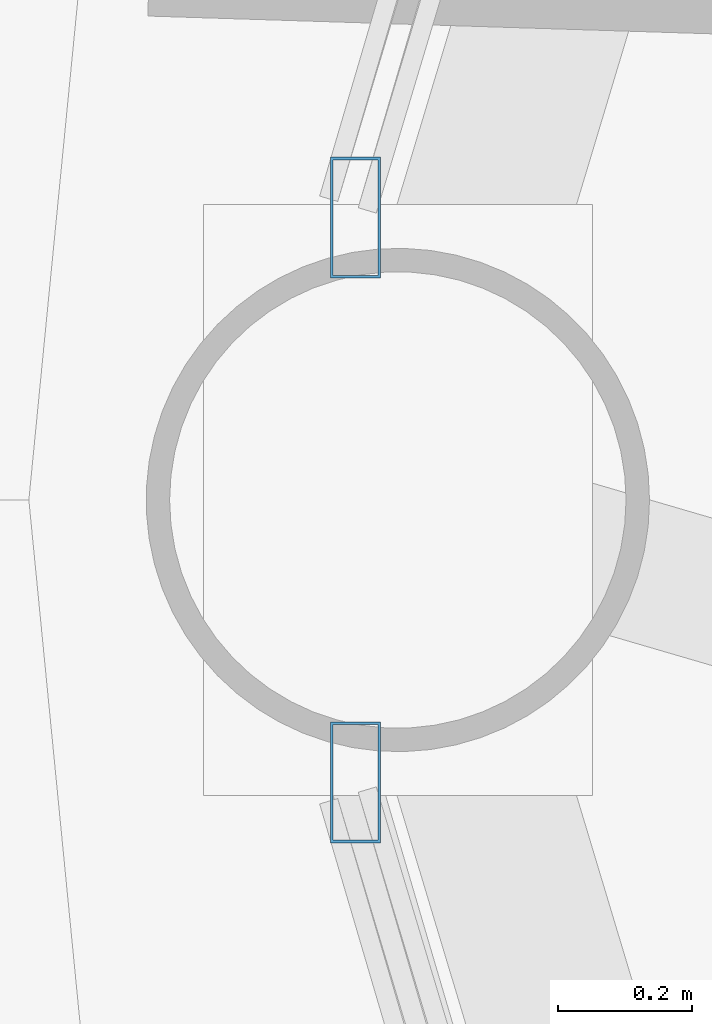
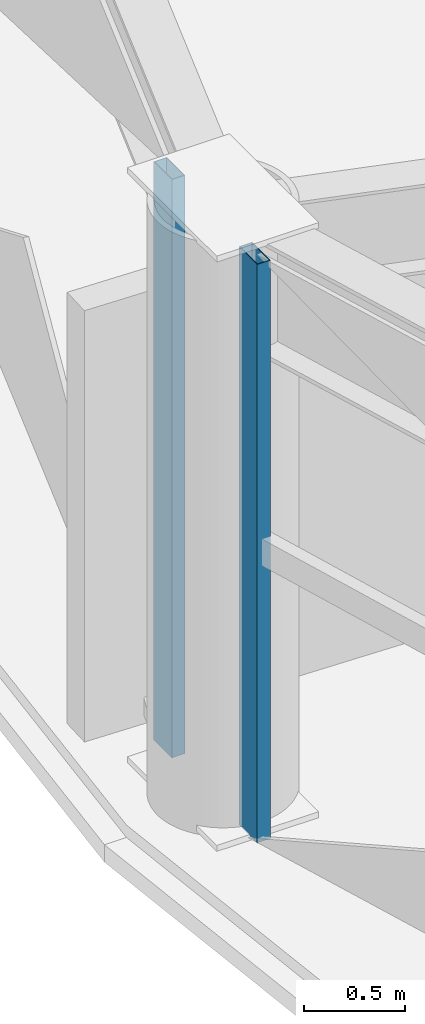
# One storey, part 7 of 31: 2 members, 2 elements without a shape of their own.
"""IFC4 building model written with IfcOpenShell, lengths in metres."""

from ifc_helpers import new_model, si_unit, direction, frame, origin, origin_2d, place, context, subcontext, project, spatial, hollow_rectangle, extrude, material, layer, layer_set, material_profile, profile_set, type_object, element, aggregate, save


model = new_model("IFC4")

# Units and contexts
model_context = context("Model", 3, precision=1e-05, world=origin(), true_north=direction((0.0, 1.0)))
body_context = subcontext(model_context, "Body", "Model", "MODEL_VIEW")
ifc_project = project(units=[si_unit("LENGTHUNIT", "METRE"), si_unit("AREAUNIT", "SQUARE_METRE"), si_unit("VOLUMEUNIT", "CUBIC_METRE"), si_unit("PLANEANGLEUNIT", "RADIAN"), si_unit("MASSUNIT", "GRAM", prefix="KILO")], contexts=[model_context])

# Site, building, storey
site_placement = place(None, origin())
site = spatial("IfcSite", under=ifc_project, at=site_placement, CompositionType="ELEMENT")
building_placement = place(site_placement, origin())
building = spatial("IfcBuilding", under=site, at=building_placement, Name="Vantalir Tower", CompositionType="ELEMENT")
storey_placement = place(building_placement, frame((0.0, 0.0, 115.949951171875)))
storey = spatial("IfcBuildingStorey", under=building, at=storey_placement, Name="L28", CompositionType="ELEMENT", Elevation=115.949951171875)

# Curtain wall, member
ifc_material_1 = material(Name="Champagne-silver PVDF aluminium and double-silver Low-E glass", Category="aluminium")
ifc_layer = layer(ifc_material_1, 0.199951171875)
ifc_layer_set = layer_set([ifc_layer], Name="Champagne-silver PVDF aluminium and double-silver Low-E glass")
curtain_wall_type = type_object("IfcCurtainWallType", Name="CW-DIAMOND-Z2", PredefinedType="USERDEFINED", material=ifc_layer_set)
curtain_wall_1_placement = place(storey_placement, origin())
curtain_wall_1 = element("IfcCurtainWall", 1, at=curtain_wall_1_placement, inside=storey, type_object=curtain_wall_type, Name="L28 Quilted Pyramid-Diamond Curtain Wall S06", ObjectType="UNITISED CURTAIN WALL", PredefinedType="USERDEFINED")
ifc_material_2 = material(Name="Champagne-silver PVDF aluminium 6063-T6", Category="aluminium")
ifc_material_profile = material_profile(ifc_material_2, hollow_rectangle(XDim=0.074951171875, YDim=0.179931640625, WallThickness=0.00390625, at=origin_2d()), Name="Champagne-silver PVDF aluminium 6063-T6")
ifc_profile_set = profile_set([ifc_material_profile], Name="Champagne-silver PVDF aluminium 6063-T6")
member_type = type_object("IfcMemberType", Name="CWM-180x75", PredefinedType="MULLION", material=ifc_profile_set)
member_1_placement = place(storey_placement, frame((6.096923828125, 25.4208984375, 0.045166015625), z_axis=(0.0, 0.0, 1.0), x_axis=(1.0, 0.0, 0.0)))
member_1 = element("IfcMember", 2, at=member_1_placement, type_object=member_type, Name="CW-L28-S06 Mullion 2", PredefinedType="MULLION", context=body_context, shape_type="SweptSolid", body=[
    extrude(hollow_rectangle(XDim=0.074951171875, YDim=0.179931640625, WallThickness=0.00390625, at=origin_2d()), origin(), (0.0, 0.0, 1.0), 3.47998046875),
])
aggregate(curtain_wall_1, [member_1])

curtain_wall_2_placement = place(storey_placement, origin())
curtain_wall_2 = element("IfcCurtainWall", 3, at=curtain_wall_2_placement, inside=storey, type_object=curtain_wall_type, Name="L28 Quilted Pyramid-Diamond Curtain Wall S07", ObjectType="UNITISED CURTAIN WALL", PredefinedType="USERDEFINED")
member_2_placement = place(storey_placement, frame((6.096923828125, 24.5791015625, 0.045166015625), z_axis=(0.0, 0.0, 1.0), x_axis=(1.0, 0.0, 0.0)))
member_2 = element("IfcMember", 4, at=member_2_placement, type_object=member_type, Name="CW-L28-S07 Mullion 1", PredefinedType="MULLION", context=body_context, shape_type="SweptSolid", body=[
    extrude(hollow_rectangle(XDim=0.074951171875, YDim=0.179931640625, WallThickness=0.00390625, at=origin_2d()), origin(), (0.0, 0.0, 1.0), 3.47998046875),
])
aggregate(curtain_wall_2, [member_2])

save(model, "model.ifc")
